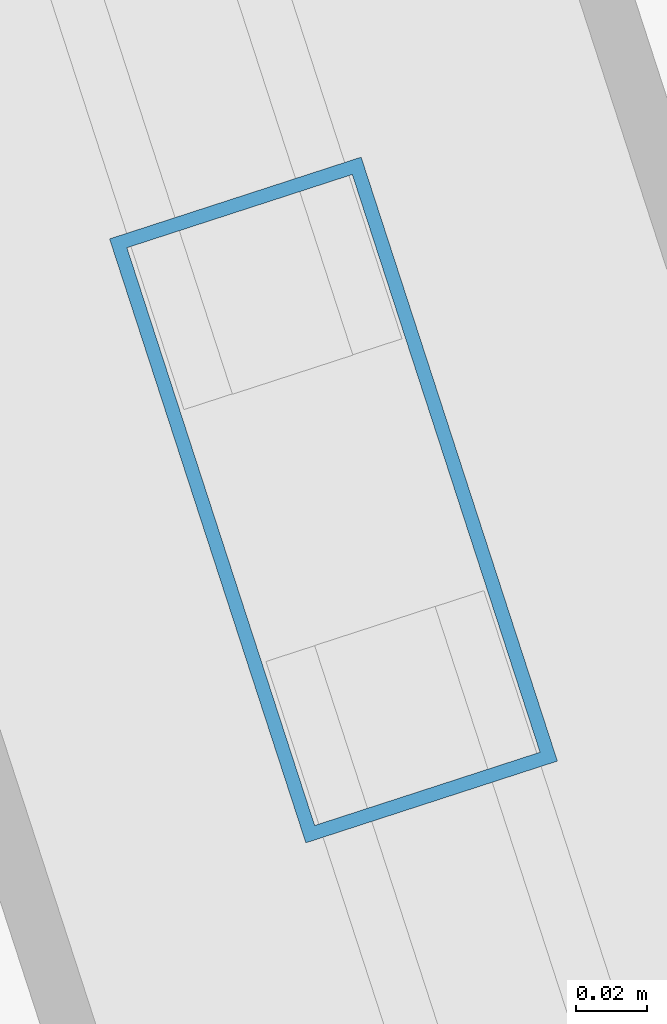
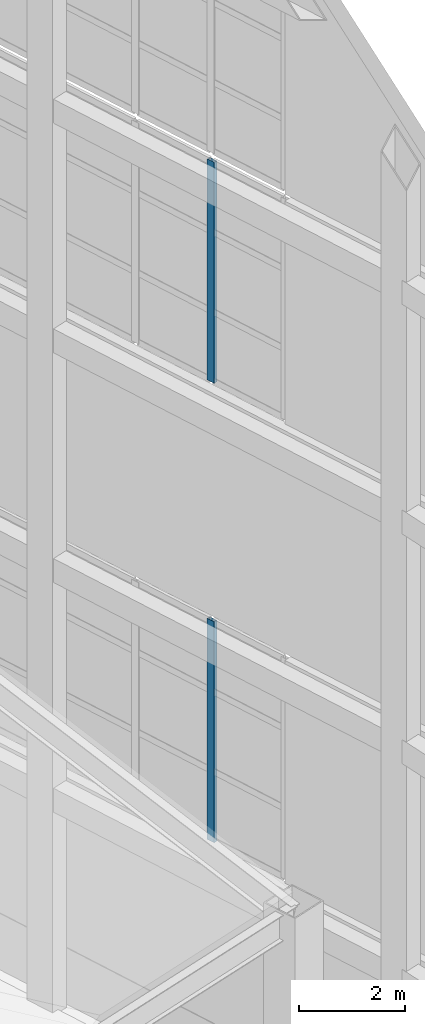
# One storey, part 28 of 56: 2 members, 2 elements without a shape of their own.
"""IFC4 building model written with IfcOpenShell, lengths in metres."""

from ifc_helpers import new_model, si_unit, direction, frame, origin, origin_2d, place, context, subcontext, project, spatial, hollow_rectangle, extrude, material, layer, layer_set, material_profile, profile_set, type_object, element, aggregate, save


model = new_model("IFC4")

# Units and contexts
model_context = context("Model", 3, precision=1e-05, world=origin(), true_north=direction((0.0, 1.0)))
body_context = subcontext(model_context, "Body", "Model", "MODEL_VIEW")
ifc_project = project(units=[si_unit("LENGTHUNIT", "METRE"), si_unit("AREAUNIT", "SQUARE_METRE"), si_unit("VOLUMEUNIT", "CUBIC_METRE"), si_unit("PLANEANGLEUNIT", "RADIAN"), si_unit("MASSUNIT", "GRAM", prefix="KILO")], contexts=[model_context])

# Site, building, storey
site_placement = place(None, origin())
site = spatial("IfcSite", under=ifc_project, at=site_placement, CompositionType="ELEMENT")
building_placement = place(site_placement, origin())
building = spatial("IfcBuilding", under=site, at=building_placement, Name="Qiaolan Cultural Towers", CompositionType="ELEMENT")
storey_placement = place(building_placement, frame((0.0, 0.0, 250.39990234375)))
storey = spatial("IfcBuildingStorey", under=building, at=storey_placement, Name="L68", CompositionType="ELEMENT", Elevation=250.39990234375)

# Curtain wall, member
ifc_material_1 = material(Name="Unitized Anodized Aluminium Curtain Wall System", Category="aluminium")
ifc_layer = layer(ifc_material_1, 0.199951171875)
ifc_layer_set = layer_set([ifc_layer], Name="Unitized Anodized Aluminium Curtain Wall System")
curtain_wall_type = type_object("IfcCurtainWallType", Name="CWS-06", PredefinedType="NOTDEFINED", material=ifc_layer_set)
curtain_wall_1_placement = place(storey_placement, origin())
curtain_wall_1 = element("IfcCurtainWall", 1, at=curtain_wall_1_placement, inside=storey, type_object=curtain_wall_type, Name="T2 Crown Tier 2 Fritted Screen Curtain Wall 3", PredefinedType="NOTDEFINED")
ifc_material_2 = material(Name="Extruded Aluminium 6063-T6", Category="aluminium")
ifc_material_profile = material_profile(ifc_material_2, hollow_rectangle(XDim=0.074951171875, YDim=0.179931640625, WallThickness=0.00390625, at=origin_2d()), Name="CWM-180x75x4")
ifc_profile_set = profile_set([ifc_material_profile], Name="Extruded Aluminium 6063-T6")
member_type = type_object("IfcMemberType", Name="CWS-06-MUL", PredefinedType="MULLION", material=ifc_profile_set)
member_1_placement = place(storey_placement, frame((104.358642578125, 34.6279296875, 5.400146484375), z_axis=(0.0, 0.0, 1.0), x_axis=(-0.951056535512, -0.309016935232, 0.0)))
member_1 = element("IfcMember", 2, at=member_1_placement, type_object=member_type, Name="CW-6 mullion 2", PredefinedType="MULLION", context=body_context, shape_type="SweptSolid", body=[
    extrude(hollow_rectangle(XDim=0.074951171875, YDim=0.179931640625, WallThickness=0.00390625, at=origin_2d()), origin(), (0.0, 0.0, 1.0), 5.099853515625),
])
aggregate(curtain_wall_1, [member_1])

curtain_wall_2_placement = place(storey_placement, origin())
curtain_wall_2 = element("IfcCurtainWall", 3, at=curtain_wall_2_placement, inside=storey, type_object=curtain_wall_type, Name="T2 Crown Tier 4 Fritted Screen Curtain Wall 3", PredefinedType="NOTDEFINED")
member_2_placement = place(storey_placement, frame((104.358642578125, 34.6279296875, 16.0), z_axis=(0.0, 0.0, 1.0), x_axis=(-0.951056535512, -0.309016935232, 0.0)))
member_2 = element("IfcMember", 4, at=member_2_placement, type_object=member_type, Name="CW-6 mullion 2", PredefinedType="MULLION", context=body_context, shape_type="SweptSolid", body=[
    extrude(hollow_rectangle(XDim=0.074951171875, YDim=0.179931640625, WallThickness=0.00390625, at=origin_2d()), origin(), (0.0, 0.0, 1.0), 5.10009765625),
])
aggregate(curtain_wall_2, [member_2])

save(model, "model.ifc")
